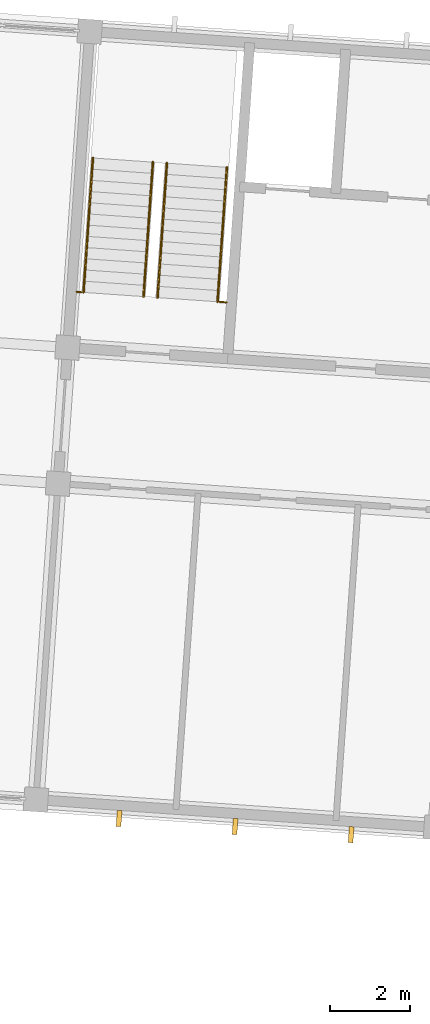
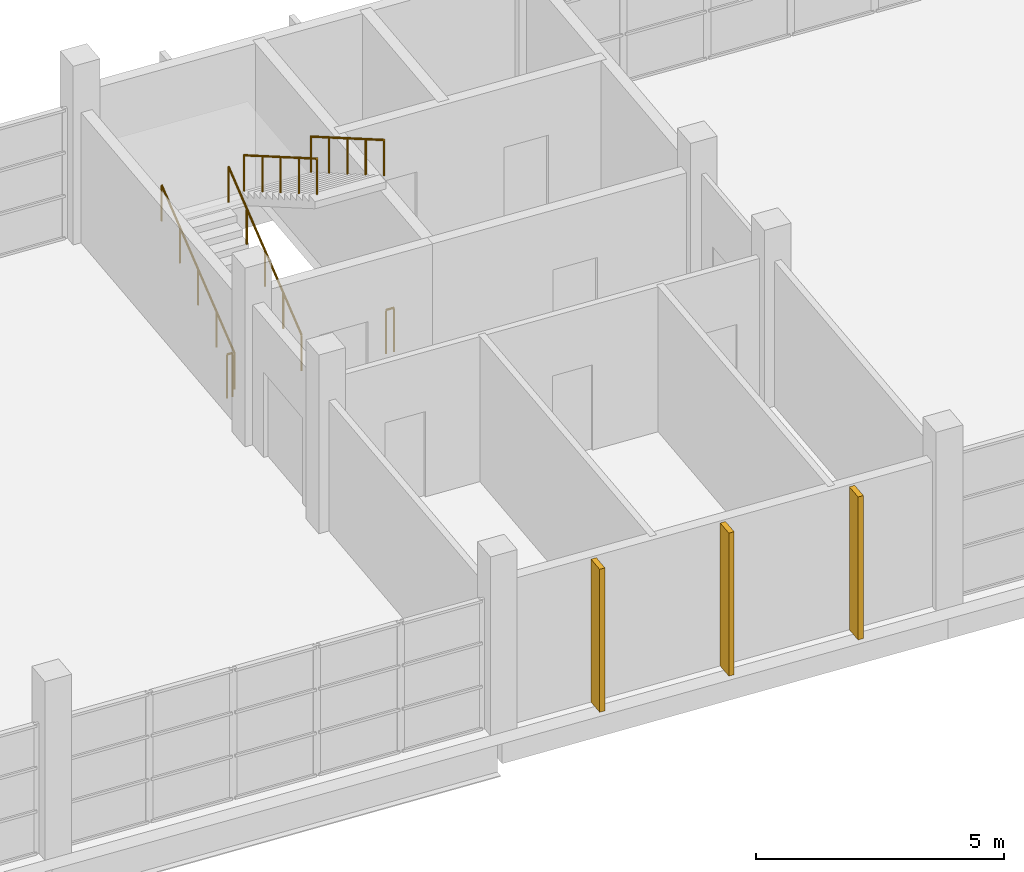
# One storey, part 106 of 115: 6 railings, 3 shading devices.
"""IFC4 building model written with IfcOpenShell, lengths in metres."""

from ifc_helpers import new_model, si_unit, direction, frame, origin, origin_2d, place, context, subcontext, project, spatial, polyline, circle, outline, extrude, material, type_object, element, save


model = new_model("IFC4")

# Units and contexts
model_context = context("Model", 3, precision=1e-05, world=origin(), true_north=direction((0.0, 1.0)))
body_context = subcontext(model_context, "Body", "Model", "MODEL_VIEW")
ifc_project = project(units=[si_unit("LENGTHUNIT", "METRE"), si_unit("AREAUNIT", "SQUARE_METRE"), si_unit("VOLUMEUNIT", "CUBIC_METRE"), si_unit("PLANEANGLEUNIT", "RADIAN"), si_unit("MASSUNIT", "GRAM", prefix="KILO")], contexts=[model_context])

# Site, building, storey
site_placement = place(None, origin())
site = spatial("IfcSite", under=ifc_project, at=site_placement, CompositionType="ELEMENT")
building_placement = place(site_placement, origin())
building = spatial("IfcBuilding", under=site, at=building_placement, Name="Windward Yard Aquatics Centre", CompositionType="ELEMENT")
storey_placement = place(building_placement, frame((0.0, 0.0, 5.0)))
storey = spatial("IfcBuildingStorey", under=building, at=storey_placement, Name="L01", CompositionType="ELEMENT", Elevation=5.0)

# Railings
ifc_material_1 = material(Name="Stainless steel 1.4529", Category="steel")
railing_type_1 = type_object("IfcRailingType", Name="W guard 1100", PredefinedType="GUARDRAIL", material=ifc_material_1)
railing_1_placement = place(storey_placement, frame((118.849609375, 128.827880859375, 0.0)))
element("IfcRailing", 1, at=railing_1_placement, inside=storey, type_object=railing_type_1, Name="W.GS.W.L01.1", PredefinedType="GUARDRAIL", context=body_context, shape_type="SweptSolid", body=[
    extrude(circle(Radius=0.02392578125, at=origin_2d()), frame((0.0, 0.0, 1.076171875), z_axis=(0.997517922262, -0.070413029807, 0.0), x_axis=(0.070413029807, 0.997517922262, 0.0)), (0.0, 0.0, 1.0), 0.124755859375),
    extrude(circle(Radius=0.02099609375, at=origin_2d()), origin(), (0.0, 0.0, 1.0), 1.052001953125),
    extrude(circle(Radius=0.02099609375, at=origin_2d()), frame((0.12451171875, -0.0087890625, 0.0)), (0.0, 0.0, 1.0), 1.052001953125),
])
railing_2_placement = place(storey_placement, frame((122.415771484375, 128.57861328125, 0.0)))
element("IfcRailing", 2, at=railing_2_placement, inside=storey, type_object=railing_type_1, Name="W.GS.W.L01.2", PredefinedType="GUARDRAIL", context=body_context, shape_type="SweptSolid", body=[
    extrude(circle(Radius=0.02392578125, at=origin_2d()), frame((0.0, 0.0, 1.076171875), z_axis=(0.997563824095, -0.069759707979, 0.0), x_axis=(0.069759707979, 0.997563824095, 0.0)), (0.0, 0.0, 1.0), 0.175048828125),
    extrude(circle(Radius=0.02099609375, at=origin_2d()), origin(), (0.0, 0.0, 1.0), 1.052001953125),
    extrude(circle(Radius=0.02099609375, at=origin_2d()), frame((0.174560546875, -0.01220703125, 0.0)), (0.0, 0.0, 1.0), 1.052001953125),
])
ifc_material_2 = material(Name="Stainless steel 1.4401", Category="steel")
railing_type_2 = type_object("IfcRailingType", Name="W handrail 900", PredefinedType="HANDRAIL", material=ifc_material_2)
for number, where, name in (
    (3, (119.02392578125, 128.815673828125, 0.169189453125), "W.HR.W.L01.1L"),
    (4, (120.5205078125, 128.7109375, 0.169189453125), "W.HR.W.L01.1R"),
):
    element("IfcRailing", number, at=place(storey_placement, frame(where)), inside=storey, type_object=railing_type_2, Name=name, PredefinedType="HANDRAIL", context=body_context, shape_type="SweptSolid", body=[
        extrude(circle(Radius=0.02392578125, at=origin_2d()), frame((0.0, 0.0, 0.8759765625), z_axis=(0.05969805655, 0.853744394147, 0.517258785819), x_axis=(-0.997564177681, 0.06975465151, 0.0)), (0.0, 0.0, 1.0), 3.926025390625),
        extrude(circle(Radius=0.02099609375, at=origin_2d()), origin(), (0.0, 0.0, 1.0), 0.851806640625),
        extrude(circle(Radius=0.02099609375, at=origin_2d()), frame((0.05859375, 0.837890625, 0.5078125)), (0.0, 0.0, 1.0), 0.851806640625),
        extrude(circle(Radius=0.02099609375, at=origin_2d()), frame((0.1171875, 1.67578125, 1.015380859375)), (0.0, 0.0, 1.0), 0.851806640625),
        extrude(circle(Radius=0.02099609375, at=origin_2d()), frame((0.17578125, 2.513916015625, 1.52294921875)), (0.0, 0.0, 1.0), 0.851806640625),
        extrude(circle(Radius=0.02099609375, at=origin_2d()), frame((0.234375, 3.351806640625, 2.03076171875)), (0.0, 0.0, 1.0), 0.851806640625),
    ])
railing_3_placement = place(storey_placement, frame((121.10400390625, 132.038330078125, 2.369140625)))
element("IfcRailing", 5, at=railing_3_placement, inside=storey, type_object=railing_type_2, Name="W.HR.W.L01.2L", PredefinedType="HANDRAIL", context=body_context, shape_type="SweptSolid", body=[
    extrude(circle(Radius=0.02392578125, at=origin_2d()), frame((0.0, 0.0, 0.8759765625), z_axis=(-0.059760020061, -0.853741223114, 0.517256864583), x_axis=(0.997559118983, -0.069826958507, 0.0)), (0.0, 0.0, 1.0), 3.926025390625),
    extrude(circle(Radius=0.02099609375, at=origin_2d()), origin(), (0.0, 0.0, 1.0), 0.851806640625),
    extrude(circle(Radius=0.02099609375, at=origin_2d()), frame((-0.05859375, -0.837890625, 0.5078125)), (0.0, 0.0, 1.0), 0.851806640625),
    extrude(circle(Radius=0.02099609375, at=origin_2d()), frame((-0.1171875, -1.67578125, 1.015380859375)), (0.0, 0.0, 1.0), 0.851806640625),
    extrude(circle(Radius=0.02099609375, at=origin_2d()), frame((-0.176025390625, -2.513916015625, 1.52294921875)), (0.0, 0.0, 1.0), 0.851806640625),
    extrude(circle(Radius=0.02099609375, at=origin_2d()), frame((-0.234619140625, -3.351806640625, 2.03076171875)), (0.0, 0.0, 1.0), 0.851806640625),
])
railing_4_placement = place(storey_placement, frame((122.600341796875, 131.933837890625, 2.369140625)))
element("IfcRailing", 6, at=railing_4_placement, inside=storey, type_object=railing_type_2, Name="W.HR.W.L01.2R", PredefinedType="HANDRAIL", context=body_context, shape_type="SweptSolid", body=[
    extrude(circle(Radius=0.02392578125, at=origin_2d()), frame((0.0, 0.0, 0.8759765625), z_axis=(-0.05969805655, -0.853744394147, 0.517258785819), x_axis=(0.997564177681, -0.06975465151, 0.0)), (0.0, 0.0, 1.0), 3.926025390625),
    extrude(circle(Radius=0.02099609375, at=origin_2d()), origin(), (0.0, 0.0, 1.0), 0.851806640625),
    extrude(circle(Radius=0.02099609375, at=origin_2d()), frame((-0.05859375, -0.837890625, 0.5078125)), (0.0, 0.0, 1.0), 0.851806640625),
    extrude(circle(Radius=0.02099609375, at=origin_2d()), frame((-0.1171875, -1.67578125, 1.015380859375)), (0.0, 0.0, 1.0), 0.851806640625),
    extrude(circle(Radius=0.02099609375, at=origin_2d()), frame((-0.17578125, -2.513916015625, 1.52294921875)), (0.0, 0.0, 1.0), 0.851806640625),
    extrude(circle(Radius=0.02099609375, at=origin_2d()), frame((-0.234375, -3.351806640625, 2.03076171875)), (0.0, 0.0, 1.0), 0.851806640625),
])

# Shading devices
ifc_material_3 = material(Name="Timber-look aluminium batten, powder coated", Category="wood")
shading_device_type = type_object("IfcShadingDeviceType", Name="W vertical fin 120x400", PredefinedType="USERDEFINED", material=ifc_material_3)
shading_device_1_placement = place(storey_placement, origin())
element("IfcShadingDevice", 7, at=shading_device_1_placement, inside=storey, type_object=shading_device_type, Name="Vertical fin W.FW.L01.S.46.8.1.1", ObjectType="FIN", PredefinedType="USERDEFINED", context=body_context, shape_type="SweptSolid", body=[
    extrude(outline(polyline([(119.837158203125, 115.50146484375), (119.864990234375, 115.900390625), (119.98486328125, 115.89208984375), (119.956787109375, 115.4931640625), (119.837158203125, 115.50146484375)])), origin(), (0.0, 0.0, 1.0), 3.52001953125),
])
shading_device_2_placement = place(storey_placement, origin())
element("IfcShadingDevice", 8, at=shading_device_2_placement, inside=storey, type_object=shading_device_type, Name="Vertical fin W.FW.L01.S.46.8.1.2", ObjectType="FIN", PredefinedType="USERDEFINED", context=body_context, shape_type="SweptSolid", body=[
    extrude(outline(polyline([(122.730224609375, 115.29931640625), (122.758056640625, 115.6982421875), (122.877685546875, 115.68994140625), (122.849853515625, 115.290771484375), (122.730224609375, 115.29931640625)])), origin(), (0.0, 0.0, 1.0), 3.52001953125),
])
shading_device_3_placement = place(storey_placement, origin())
element("IfcShadingDevice", 9, at=shading_device_3_placement, inside=storey, type_object=shading_device_type, Name="Vertical fin W.FW.L01.S.46.8.1.3", ObjectType="FIN", PredefinedType="USERDEFINED", context=body_context, shape_type="SweptSolid", body=[
    extrude(outline(polyline([(125.623046875, 115.096923828125), (125.65087890625, 115.495849609375), (125.770751953125, 115.487548828125), (125.742919921875, 115.088623046875), (125.623046875, 115.096923828125)])), origin(), (0.0, 0.0, 1.0), 3.52001953125),
])

save(model, "model.ifc")
